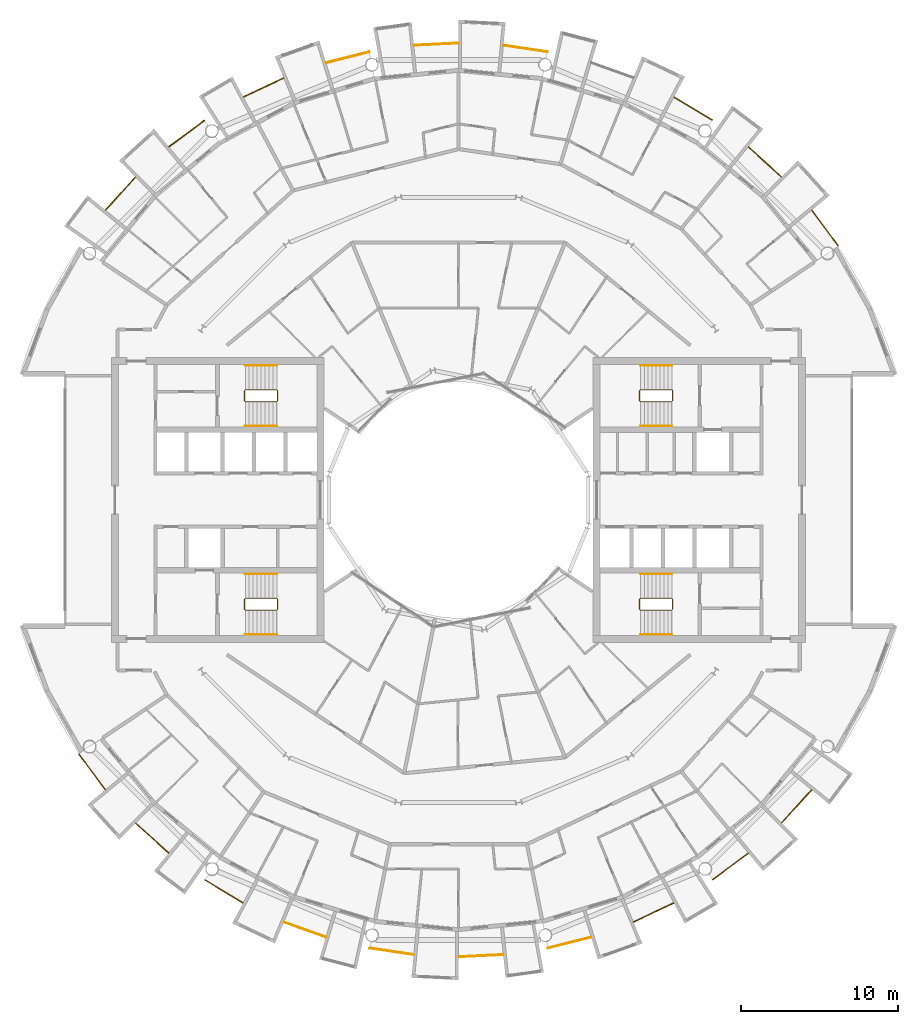
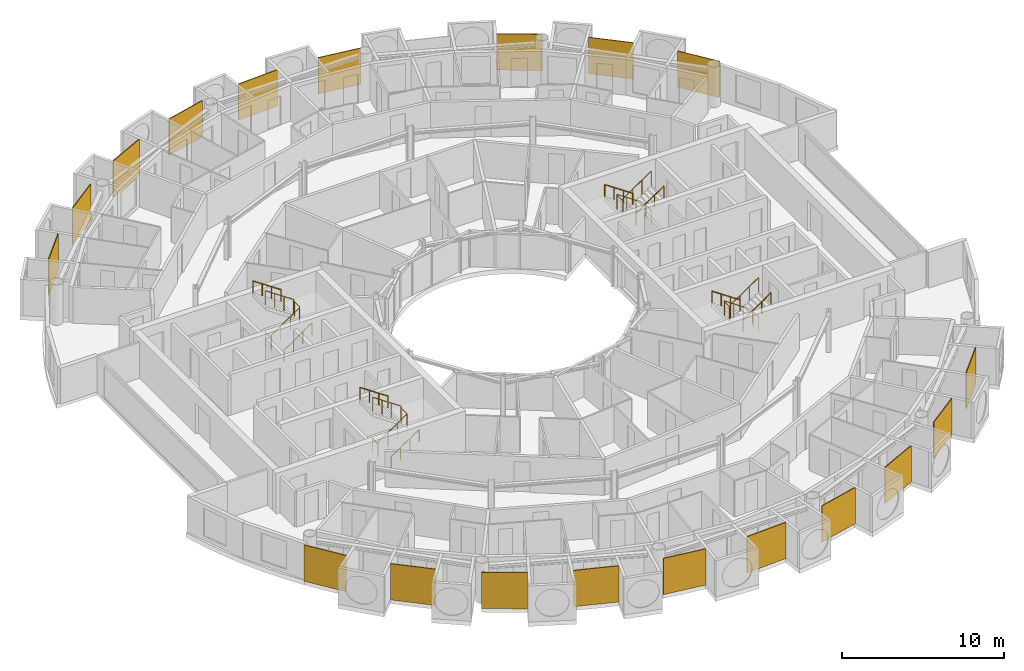
# One storey, part 28 of 29: 31 railings.
"""IFC4 building model written with IfcOpenShell, lengths in metres."""

import ifcopenshell
import ifcopenshell.guid

model = None  # the IFC model being written
_history = None  # IfcOwnerHistory: only IFC2X3 demands one
_inside = {}  # id of a spatial element -> (the spatial element, [elements in it])
_under = {}  # id of a project, library or spatial element -> (it, [spatial elements below it])
_declared = {}  # id of a project -> (the project, [libraries it declares])
_typed = {}  # id of a type object -> (the type object, [elements of that type])
_made_of = {}  # id of a material, layer set ... -> (it, [elements and type objects made of it])


def new_model(schema):
    """Start an empty IFC model of exactly this schema.

    Asked for "IFC4X3", IfcOpenShell would pick the latest addendum, in which some entities
    have other attributes; the version numbers below select the first issue.
    IFC2X3 requires an IfcOwnerHistory on every rooted entity: one is made here for all.
    """
    global model, _history
    if schema == "IFC4X3":
        model = ifcopenshell.file(schema_version=(4, 3, 0, 0))
    else:
        model = ifcopenshell.file(schema=schema)
    _inside.clear()
    _under.clear()
    _declared.clear()
    _typed.clear()
    _made_of.clear()
    _history = None
    if model.schema == "IFC2X3":
        org = make("IfcOrganization", Name="unknown")
        user = make(
            "IfcPersonAndOrganization",
            ThePerson=make("IfcPerson", FamilyName="unknown"),
            TheOrganization=org,
        )
        app = make(
            "IfcApplication",
            ApplicationDeveloper=org,
            Version="unknown",
            ApplicationFullName="unknown",
            ApplicationIdentifier="unknown",
        )
        _history = make(
            "IfcOwnerHistory",
            OwningUser=user,
            OwningApplication=app,
            ChangeAction="ADDED",
            CreationDate=0,
        )
    return model


def make(cls, **values):
    """One entity of the class cls with the attributes given. An attribute that is None is left unset."""
    return model.create_entity(
        cls, **{name: value for name, value in values.items() if value is not None}
    )


def rooted(cls, **values):
    """An entity with a GlobalId (a new one), such as an element, a storey or a relation."""
    return make(cls, GlobalId=ifcopenshell.guid.new(), OwnerHistory=_history, **values)


def si_unit(unit_type, name, prefix=None):
    """IfcSIUnit, for example si_unit("LENGTHUNIT", "METRE", prefix="MILLI")."""
    return make("IfcSIUnit", UnitType=unit_type, Prefix=prefix, Name=name)


def assignment(units):
    """IfcUnitAssignment: the units of a project."""
    return None if units is None else make("IfcUnitAssignment", Units=units)


def point(xyz):
    """IfcCartesianPoint."""
    return None if xyz is None else make("IfcCartesianPoint", Coordinates=xyz)


def direction(xyz):
    """IfcDirection."""
    return None if xyz is None else make("IfcDirection", DirectionRatios=xyz)


def frame(location, z_axis=None, x_axis=None):
    """IfcAxis2Placement3D, a coordinate frame: its origin and axes. An axis left out is left unset."""
    return make(
        "IfcAxis2Placement3D",
        Location=point(location),
        Axis=direction(z_axis),
        RefDirection=direction(x_axis),
    )


def frame_2d(location, x_axis=None):
    """IfcAxis2Placement2D, a coordinate frame in the plane: its origin and x axis."""
    return make(
        "IfcAxis2Placement2D", Location=point(location), RefDirection=direction(x_axis)
    )


def origin():
    """The frame at (0, 0, 0) with its axes left unset."""
    return frame((0.0, 0.0, 0.0))


def origin_2d():
    """The frame at (0, 0) in the plane with its x axis left unset."""
    return frame_2d((0.0, 0.0))


def place(relative_to, where):
    """IfcLocalPlacement: puts the frame where relative to a parent placement (None: the world)."""
    return make(
        "IfcLocalPlacement", PlacementRelTo=relative_to, RelativePlacement=where
    )


def context(
    kind, dimensions, precision=None, world=None, true_north=None, identifier=None
):
    """IfcGeometricRepresentationContext, for example the 3D "Model" context."""
    return make(
        "IfcGeometricRepresentationContext",
        ContextIdentifier=identifier,
        ContextType=kind,
        CoordinateSpaceDimension=dimensions,
        Precision=precision,
        WorldCoordinateSystem=world,
        TrueNorth=true_north,
    )


def subcontext(parent, identifier, kind, view, scale=None):
    """IfcGeometricRepresentationSubContext, for example "Body" below "Model"."""
    return make(
        "IfcGeometricRepresentationSubContext",
        ContextIdentifier=identifier,
        ContextType=kind,
        ParentContext=parent,
        TargetScale=scale,
        TargetView=view,
    )


def project(units=None, contexts=None):
    """IfcProject with its units and contexts."""
    return rooted(
        "IfcProject",
        Name="project",
        RepresentationContexts=contexts,
        UnitsInContext=assignment(units),
    )


def spatial(cls, under=None, at=None, **own):
    """A site, building, storey or space (cls), placed at a placement, below another one or the project."""
    s = rooted(cls, ObjectPlacement=at, **own)
    if under is not None:
        _under.setdefault(under.id(), (under, []))[1].append(s)
    return s


def polyline(points):
    """IfcPolyline through the points."""
    return make("IfcPolyline", Points=[point(p) for p in points])


def profile(cls, at=None, kind="AREA", **sizes):
    """A parametric profile (cls). Its sizes go by their IFC names, for example OverallWidth=200.0."""
    return make(cls, ProfileType=kind, Position=at, **sizes)


def circle(**sizes):
    """IfcCircleProfileDef."""
    return profile("IfcCircleProfileDef", **sizes)


def outline(outer, holes=None, kind="AREA"):
    """IfcArbitraryClosedProfileDef: a profile drawn as a closed curve; with holes, ...WithVoids."""
    if holes is None:
        return make("IfcArbitraryClosedProfileDef", ProfileType=kind, OuterCurve=outer)
    return make(
        "IfcArbitraryProfileDefWithVoids",
        ProfileType=kind,
        OuterCurve=outer,
        InnerCurves=holes,
    )


def extrude(swept, where, along, depth):
    """IfcExtrudedAreaSolid: the profile swept, set in the frame where, extruded along a direction by depth."""
    return make(
        "IfcExtrudedAreaSolid",
        SweptArea=swept,
        Position=where,
        ExtrudedDirection=direction(along),
        Depth=depth,
    )


def shape(context_of_items, identifier, shape_type, items):
    """IfcShapeRepresentation: the items that make up one representation, for example the "Body"."""
    return make(
        "IfcShapeRepresentation",
        ContextOfItems=context_of_items,
        RepresentationIdentifier=identifier,
        RepresentationType=shape_type,
        Items=items,
    )


def material(Name=None, Category=None):
    """IfcMaterial."""
    return make("IfcMaterial", Name=Name, Category=Category)


def layer(
    of_material, thickness, ventilated=None, Name=None, Category=None, Priority=None
):
    """IfcMaterialLayer: one layer of a wall or slab, of a material (None: an air gap)."""
    return make(
        "IfcMaterialLayer",
        Material=of_material,
        LayerThickness=thickness,
        IsVentilated=ventilated,
        Name=Name,
        Category=Category,
        Priority=Priority,
    )


def layer_set(layers, Name=None):
    """IfcMaterialLayerSet."""
    return make("IfcMaterialLayerSet", MaterialLayers=layers, LayerSetName=Name)


def made_of(thing, what):
    """Note that an element or type object is made of a material, layer set ...; save() writes the relation."""
    if what is not None:
        _made_of.setdefault(what.id(), (what, []))[1].append(thing)
    return thing


def type_object(cls, material=None, **own):
    """A type object (cls), such as IfcWallType, which elements share."""
    return made_of(rooted(cls, **own), material)


def element(
    cls,
    number,
    at=None,
    inside=None,
    cuts=None,
    type_object=None,
    material=None,
    context=None,
    identifier="Body",
    shape_type=None,
    held_by="IfcProductDefinitionShape",
    body=None,
    shapes=None,
    **own,
):
    """One element of the class cls, such as IfcWall. Its Tag is "e" and its number.

    at: its placement. inside: the storey or other place that contains it. cuts: it is an
    opening in that element (IfcRelVoidsElement). A single representation is given by context,
    identifier, shape_type and body (its items); several are given by shapes. held_by: the class
    of the entity that holds the representations. save() writes the other relations.
    """
    e = rooted(cls, Tag="e%d" % number, ObjectPlacement=at, **own)
    if body is not None:
        shapes = [shape(context, identifier, shape_type, body)]
    if shapes is not None:
        e.Representation = make(held_by, Representations=shapes)
    if inside is not None:
        _inside.setdefault(inside.id(), (inside, []))[1].append(e)
    if cuts is not None:
        rooted(
            "IfcRelVoidsElement", RelatingBuildingElement=cuts, RelatedOpeningElement=e
        )
    if type_object is not None:
        _typed.setdefault(type_object.id(), (type_object, []))[1].append(e)
    return made_of(e, material)


def aggregate(whole, parts):
    """IfcRelAggregates: a whole, such as a stair, and the parts it consists of."""
    return rooted("IfcRelAggregates", RelatingObject=whole, RelatedObjects=parts)


def save(model, path):
    """Write the relations noted so far, then the file.

    IfcRelAggregates (storeys below a building ...), IfcRelContainedInSpatialStructure (elements
    in a storey), IfcRelDefinesByType, IfcRelAssociatesMaterial and IfcRelDeclares: one each for
    every whole, place, type object, material and project.
    """
    for whole, parts in _under.values():
        aggregate(whole, parts)
    for where, things in _inside.values():
        rooted(
            "IfcRelContainedInSpatialStructure",
            RelatedElements=things,
            RelatingStructure=where,
        )
    for kind, things in _typed.values():
        rooted("IfcRelDefinesByType", RelatedObjects=things, RelatingType=kind)
    for what, things in _made_of.values():
        rooted("IfcRelAssociatesMaterial", RelatedObjects=things, RelatingMaterial=what)
    for by, libraries in _declared.values():
        rooted("IfcRelDeclares", RelatingContext=by, RelatedDefinitions=libraries)
    model.write(path)


model = new_model("IFC4")

# Units and contexts
model_context = context("Model", 3, precision=1e-05, world=origin(), true_north=direction((0.0, 1.0)))
body_context = subcontext(model_context, "Body", "Model", "MODEL_VIEW")
ifc_project = project(units=[si_unit("LENGTHUNIT", "METRE"), si_unit("AREAUNIT", "SQUARE_METRE"), si_unit("VOLUMEUNIT", "CUBIC_METRE"), si_unit("PLANEANGLEUNIT", "RADIAN"), si_unit("MASSUNIT", "GRAM", prefix="KILO")], contexts=[model_context])

# Site, building, storey
site_placement = place(None, origin())
site = spatial("IfcSite", under=ifc_project, at=site_placement, CompositionType="ELEMENT")
building_placement = place(site_placement, origin())
building = spatial("IfcBuilding", under=site, at=building_placement, Name="Maasbend Ring Residences", CompositionType="ELEMENT")
storey_placement = place(building_placement, frame((0.0, 0.0, 212.699951171875)))
storey = spatial("IfcBuildingStorey", under=building, at=storey_placement, Name="L61", CompositionType="ELEMENT", Elevation=212.699951171875)

# Railings
ifc_material_1 = material(Name="Pale anodised perforated aluminium", Category="aluminium")
ifc_layer = layer(ifc_material_1, 0.06005859375)
ifc_layer_set = layer_set([ifc_layer], Name="SCREEN-P")
railing_type_1 = type_object("IfcRailingType", Name="SCREEN-P", PredefinedType="GUARDRAIL", material=ifc_layer_set)
railing_1_placement = place(storey_placement, frame((0.0, 0.0, -0.030029296875)))
element("IfcRailing", 1, at=railing_1_placement, inside=storey, type_object=railing_type_1, Name="Perforated screen guard 1", PredefinedType="GUARDRAIL", context=body_context, shape_type="SweptSolid", body=[
    extrude(outline(polyline([(24.113037109375, 16.112060546875), (22.4169921875, 18.39697265625), (22.465087890625, 18.43310546875), (24.160888671875, 16.14697265625), (24.113037109375, 16.112060546875)])), origin(), (0.0, 0.0, 1.0), 2.72998046875),
])
railing_2_placement = place(storey_placement, frame((0.0, 0.0, -0.030029296875)))
element("IfcRailing", 2, at=railing_2_placement, inside=storey, type_object=railing_type_1, Name="Perforated screen guard 2", PredefinedType="GUARDRAIL", context=body_context, shape_type="SweptSolid", body=[
    extrude(outline(polyline([(20.506103515625, 20.506103515625), (18.39697265625, 22.4169921875), (18.43798828125, 22.4619140625), (20.5458984375, 20.551025390625), (20.506103515625, 20.506103515625)])), origin(), (0.0, 0.0, 1.0), 2.72998046875),
])
railing_3_placement = place(storey_placement, frame((0.0, 0.0, -0.030029296875)))
element("IfcRailing", 3, at=railing_3_placement, inside=storey, type_object=railing_type_1, Name="Perforated screen guard 3", PredefinedType="GUARDRAIL", context=body_context, shape_type="SweptSolid", body=[
    extrude(outline(polyline([(16.112060546875, 24.113037109375), (13.6708984375, 25.575927734375), (13.700927734375, 25.626953125), (16.14208984375, 24.1640625), (16.112060546875, 24.113037109375)])), origin(), (0.0, 0.0, 1.0), 2.72998046875),
])
railing_4_placement = place(storey_placement, frame((0.0, 0.0, -0.030029296875)))
element("IfcRailing", 4, at=railing_4_placement, inside=storey, type_object=railing_type_1, Name="Perforated screen guard 5", PredefinedType="GUARDRAIL", context=body_context, shape_type="SweptSolid", body=[
    extrude(outline(polyline([(5.657958984375, 28.443115234375), (2.842041015625, 28.860107421875), (2.85107421875, 28.919921875), (5.666015625, 28.501953125), (5.657958984375, 28.443115234375)])), origin(), (0.0, 0.0, 1.0), 2.72998046875),
])
railing_5_placement = place(storey_placement, frame((0.0, 0.0, -0.030029296875)))
element("IfcRailing", 5, at=railing_5_placement, inside=storey, type_object=railing_type_1, Name="Perforated screen guard 6", PredefinedType="GUARDRAIL", context=body_context, shape_type="SweptSolid", body=[
    extrude(outline(polyline([(0.0, 29.0), (-2.842041015625, 28.860107421875), (-2.844970703125, 28.919921875), (-0.0029296875, 29.06005859375), (0.0, 29.0)])), origin(), (0.0, 0.0, 1.0), 2.72998046875),
])
railing_6_placement = place(storey_placement, frame((0.0, 0.0, -0.030029296875)))
element("IfcRailing", 6, at=railing_6_placement, inside=storey, type_object=railing_type_1, Name="Perforated screen guard 7", PredefinedType="GUARDRAIL", context=body_context, shape_type="SweptSolid", body=[
    extrude(outline(polyline([(-5.657958984375, 28.443115234375), (-8.41796875, 27.7509765625), (-8.43310546875, 27.80908203125), (-5.672119140625, 28.5009765625), (-5.657958984375, 28.443115234375)])), origin(), (0.0, 0.0, 1.0), 2.72998046875),
])
railing_7_placement = place(storey_placement, frame((0.0, 0.0, -0.030029296875)))
element("IfcRailing", 7, at=railing_7_placement, inside=storey, type_object=railing_type_1, Name="Perforated screen guard 8", PredefinedType="GUARDRAIL", context=body_context, shape_type="SweptSolid", body=[
    extrude(outline(polyline([(-11.097900390625, 26.79296875), (-13.6708984375, 25.575927734375), (-13.696044921875, 25.6298828125), (-11.123046875, 26.846923828125), (-11.097900390625, 26.79296875)])), origin(), (0.0, 0.0, 1.0), 2.72998046875),
])
railing_8_placement = place(storey_placement, frame((0.0, 0.0, -0.030029296875)))
element("IfcRailing", 8, at=railing_8_placement, inside=storey, type_object=railing_type_1, Name="Perforated screen guard 9", PredefinedType="GUARDRAIL", context=body_context, shape_type="SweptSolid", body=[
    extrude(outline(polyline([(-16.112060546875, 24.113037109375), (-18.39697265625, 22.4169921875), (-18.43310546875, 22.465087890625), (-16.14697265625, 24.160888671875), (-16.112060546875, 24.113037109375)])), origin(), (0.0, 0.0, 1.0), 2.72998046875),
])
railing_9_placement = place(storey_placement, frame((0.0, 0.0, -0.030029296875)))
element("IfcRailing", 9, at=railing_9_placement, inside=storey, type_object=railing_type_1, Name="Perforated screen guard 10", PredefinedType="GUARDRAIL", context=body_context, shape_type="SweptSolid", body=[
    extrude(outline(polyline([(-20.506103515625, 20.506103515625), (-22.4169921875, 18.39697265625), (-22.4619140625, 18.43798828125), (-20.551025390625, 20.5458984375), (-20.506103515625, 20.506103515625)])), origin(), (0.0, 0.0, 1.0), 2.72998046875),
])
railing_10_placement = place(storey_placement, frame((0.0, 0.0, -0.030029296875)))
element("IfcRailing", 10, at=railing_10_placement, inside=storey, type_object=railing_type_1, Name="Perforated screen guard 1", PredefinedType="GUARDRAIL", context=body_context, shape_type="SweptSolid", body=[
    extrude(outline(polyline([(-24.113037109375, -16.112060546875), (-22.4169921875, -18.39697265625), (-22.465087890625, -18.43310546875), (-24.160888671875, -16.14697265625), (-24.113037109375, -16.112060546875)])), origin(), (0.0, 0.0, 1.0), 2.72998046875),
])
railing_11_placement = place(storey_placement, frame((0.0, 0.0, -0.030029296875)))
element("IfcRailing", 11, at=railing_11_placement, inside=storey, type_object=railing_type_1, Name="Perforated screen guard 2", PredefinedType="GUARDRAIL", context=body_context, shape_type="SweptSolid", body=[
    extrude(outline(polyline([(-20.506103515625, -20.506103515625), (-18.39697265625, -22.4169921875), (-18.43798828125, -22.4619140625), (-20.5458984375, -20.551025390625), (-20.506103515625, -20.506103515625)])), origin(), (0.0, 0.0, 1.0), 2.72998046875),
])
railing_12_placement = place(storey_placement, frame((0.0, 0.0, -0.030029296875)))
element("IfcRailing", 12, at=railing_12_placement, inside=storey, type_object=railing_type_1, Name="Perforated screen guard 3", PredefinedType="GUARDRAIL", context=body_context, shape_type="SweptSolid", body=[
    extrude(outline(polyline([(-16.112060546875, -24.113037109375), (-13.6708984375, -25.575927734375), (-13.700927734375, -25.626953125), (-16.14208984375, -24.1640625), (-16.112060546875, -24.113037109375)])), origin(), (0.0, 0.0, 1.0), 2.72998046875),
])
railing_13_placement = place(storey_placement, frame((0.0, 0.0, -0.030029296875)))
element("IfcRailing", 13, at=railing_13_placement, inside=storey, type_object=railing_type_1, Name="Perforated screen guard 4", PredefinedType="GUARDRAIL", context=body_context, shape_type="SweptSolid", body=[
    extrude(outline(polyline([(-11.097900390625, -26.79296875), (-8.41796875, -27.7509765625), (-8.43798828125, -27.80810546875), (-11.117919921875, -26.84912109375), (-11.097900390625, -26.79296875)])), origin(), (0.0, 0.0, 1.0), 2.72998046875),
])
railing_14_placement = place(storey_placement, frame((0.0, 0.0, -0.030029296875)))
element("IfcRailing", 14, at=railing_14_placement, inside=storey, type_object=railing_type_1, Name="Perforated screen guard 5", PredefinedType="GUARDRAIL", context=body_context, shape_type="SweptSolid", body=[
    extrude(outline(polyline([(-5.657958984375, -28.443115234375), (-2.842041015625, -28.860107421875), (-2.85107421875, -28.919921875), (-5.666015625, -28.501953125), (-5.657958984375, -28.443115234375)])), origin(), (0.0, 0.0, 1.0), 2.72998046875),
])
railing_15_placement = place(storey_placement, frame((0.0, 0.0, -0.030029296875)))
element("IfcRailing", 15, at=railing_15_placement, inside=storey, type_object=railing_type_1, Name="Perforated screen guard 6", PredefinedType="GUARDRAIL", context=body_context, shape_type="SweptSolid", body=[
    extrude(outline(polyline([(0.0, -29.0), (2.842041015625, -28.860107421875), (2.844970703125, -28.919921875), (0.0029296875, -29.06005859375), (0.0, -29.0)])), origin(), (0.0, 0.0, 1.0), 2.72998046875),
])
railing_16_placement = place(storey_placement, frame((0.0, 0.0, -0.030029296875)))
element("IfcRailing", 16, at=railing_16_placement, inside=storey, type_object=railing_type_1, Name="Perforated screen guard 7", PredefinedType="GUARDRAIL", context=body_context, shape_type="SweptSolid", body=[
    extrude(outline(polyline([(5.657958984375, -28.443115234375), (8.41796875, -27.7509765625), (8.43310546875, -27.80908203125), (5.672119140625, -28.5009765625), (5.657958984375, -28.443115234375)])), origin(), (0.0, 0.0, 1.0), 2.72998046875),
])
railing_17_placement = place(storey_placement, frame((0.0, 0.0, -0.030029296875)))
element("IfcRailing", 17, at=railing_17_placement, inside=storey, type_object=railing_type_1, Name="Perforated screen guard 8", PredefinedType="GUARDRAIL", context=body_context, shape_type="SweptSolid", body=[
    extrude(outline(polyline([(11.097900390625, -26.79296875), (13.6708984375, -25.575927734375), (13.696044921875, -25.6298828125), (11.123046875, -26.846923828125), (11.097900390625, -26.79296875)])), origin(), (0.0, 0.0, 1.0), 2.72998046875),
])
railing_18_placement = place(storey_placement, frame((0.0, 0.0, -0.030029296875)))
element("IfcRailing", 18, at=railing_18_placement, inside=storey, type_object=railing_type_1, Name="Perforated screen guard 9", PredefinedType="GUARDRAIL", context=body_context, shape_type="SweptSolid", body=[
    extrude(outline(polyline([(16.112060546875, -24.113037109375), (18.39697265625, -22.4169921875), (18.43310546875, -22.465087890625), (16.14697265625, -24.160888671875), (16.112060546875, -24.113037109375)])), origin(), (0.0, 0.0, 1.0), 2.72998046875),
])
railing_19_placement = place(storey_placement, frame((0.0, 0.0, -0.030029296875)))
element("IfcRailing", 19, at=railing_19_placement, inside=storey, type_object=railing_type_1, Name="Perforated screen guard 10", PredefinedType="GUARDRAIL", context=body_context, shape_type="SweptSolid", body=[
    extrude(outline(polyline([(20.506103515625, -20.506103515625), (22.4169921875, -18.39697265625), (22.4619140625, -18.43798828125), (20.551025390625, -20.5458984375), (20.506103515625, -20.506103515625)])), origin(), (0.0, 0.0, 1.0), 2.72998046875),
])
ifc_material_2 = material(Name="Stainless steel 316", Category="steel")
railing_type_2 = type_object("IfcRailingType", Name="STAIR GUARD 1100", PredefinedType="GUARDRAIL", material=ifc_material_2)
railing_20_placement = place(storey_placement, frame((13.60009765625, 6.300048828125, 0.0)))
element("IfcRailing", 20, at=railing_20_placement, inside=storey, type_object=railing_type_2, Name="L61 ST-E1 stair guard 1", PredefinedType="GUARDRAIL", context=body_context, shape_type="SweptSolid", body=[
    extrude(circle(Radius=0.02392578125, at=origin_2d()), frame((0.0, 0.0, 1.076171875), z_axis=(0.0, 1.0, 0.0), x_axis=(-1.0, 0.0, 0.0)), (0.0, 0.0, 1.0), 0.64990234375),
    extrude(circle(Radius=0.02392578125, at=origin_2d()), frame((0.0, 0.64990234375, 1.076171875), z_axis=(-0.272562526181, 0.272562526181, 0.92272386912), x_axis=(-0.707106781187, -0.707106781187, 0.0)), (0.0, 0.0, 1.0), 0.18359375),
    extrude(circle(Radius=0.02392578125, at=origin_2d()), frame((-0.050048828125, 0.699951171875, 1.24560546875), z_axis=(-0.827750655447, 0.0, 0.561096116906), x_axis=(0.0, -1.0, 0.0)), (0.0, 0.0, 1.0), 2.416259765625),
    extrude(circle(Radius=0.02392578125, at=origin_2d()), frame((-2.050048828125, 0.699951171875, 2.60107421875), z_axis=(-0.707106781187, -0.707106781187, 0.0), x_axis=(0.707106781187, -0.707106781187, 0.0)), (0.0, 0.0, 1.0), 0.07080078125),
    extrude(circle(Radius=0.02392578125, at=origin_2d()), frame((-2.10009765625, 0.64990234375, 2.60107421875), z_axis=(0.0, -1.0, 0.0), x_axis=(1.0, 0.0, 0.0)), (0.0, 0.0, 1.0), 0.64990234375),
    extrude(circle(Radius=0.02392578125, at=origin_2d()), frame((-2.10009765625, 0.0, 2.60107421875), z_axis=(0.272562526181, -0.272562526181, 0.92272386912), x_axis=(0.707106781187, 0.707106781187, 0.0)), (0.0, 0.0, 1.0), 0.18359375),
    extrude(circle(Radius=0.02392578125, at=origin_2d()), frame((-2.050048828125, -0.050048828125, 2.7705078125), z_axis=(0.827797584762, 0.0, 0.561026878735), x_axis=(0.0, 1.0, 0.0)), (0.0, 0.0, 1.0), 2.416015625),
    extrude(circle(Radius=0.02099609375, at=origin_2d()), origin(), (0.0, 0.0, 1.0), 1.052001953125),
    extrude(circle(Radius=0.02099609375, at=origin_2d()), frame((0.0, 0.64990234375, 0.0)), (0.0, 0.0, 1.0), 1.052001953125),
    extrude(circle(Radius=0.02099609375, at=origin_2d()), frame((-0.050048828125, 0.699951171875, 0.16943359375)), (0.0, 0.0, 1.0), 1.052001953125),
    extrude(circle(Radius=0.02099609375, at=origin_2d()), frame((-0.716796875, 0.699951171875, 0.621337890625)), (0.0, 0.0, 1.0), 1.052001953125),
    extrude(circle(Radius=0.02099609375, at=origin_2d()), frame((-1.38330078125, 0.699951171875, 1.0732421875)), (0.0, 0.0, 1.0), 1.052001953125),
    extrude(circle(Radius=0.02099609375, at=origin_2d()), frame((-2.050048828125, 0.699951171875, 1.525146484375)), (0.0, 0.0, 1.0), 1.052001953125),
    extrude(circle(Radius=0.02099609375, at=origin_2d()), frame((-2.10009765625, 0.64990234375, 1.525146484375)), (0.0, 0.0, 1.0), 1.052001953125),
    extrude(circle(Radius=0.02099609375, at=origin_2d()), frame((-2.10009765625, 0.0, 1.525146484375)), (0.0, 0.0, 1.0), 1.052001953125),
    extrude(circle(Radius=0.02099609375, at=origin_2d()), frame((-2.050048828125, -0.050048828125, 1.694580078125)), (0.0, 0.0, 1.0), 1.052001953125),
    extrude(circle(Radius=0.02099609375, at=origin_2d()), frame((-1.38330078125, -0.050048828125, 2.146484375)), (0.0, 0.0, 1.0), 1.052001953125),
    extrude(circle(Radius=0.02099609375, at=origin_2d()), frame((-0.716796875, -0.050048828125, 2.59814453125)), (0.0, 0.0, 1.0), 1.052001953125),
    extrude(circle(Radius=0.02099609375, at=origin_2d()), frame((-0.050048828125, -0.050048828125, 3.050048828125)), (0.0, 0.0, 1.0), 1.052001953125),
])
railing_21_placement = place(storey_placement, frame((13.60009765625, -6.949951171875, 0.0)))
element("IfcRailing", 21, at=railing_21_placement, inside=storey, type_object=railing_type_2, Name="L61 ST-E2 stair guard 1", PredefinedType="GUARDRAIL", context=body_context, shape_type="SweptSolid", body=[
    extrude(circle(Radius=0.02392578125, at=origin_2d()), frame((0.0, 0.0, 1.076171875), z_axis=(0.0, 1.0, 0.0), x_axis=(-1.0, 0.0, 0.0)), (0.0, 0.0, 1.0), 0.64990234375),
    extrude(circle(Radius=0.02392578125, at=origin_2d()), frame((0.0, 0.64990234375, 1.076171875), z_axis=(-0.272562526181, 0.272562526181, 0.92272386912), x_axis=(-0.707106781187, -0.707106781187, 0.0)), (0.0, 0.0, 1.0), 0.18359375),
    extrude(circle(Radius=0.02392578125, at=origin_2d()), frame((-0.050048828125, 0.699951171875, 1.24560546875), z_axis=(-0.827750655447, 0.0, 0.561096116906), x_axis=(0.0, -1.0, 0.0)), (0.0, 0.0, 1.0), 2.416259765625),
    extrude(circle(Radius=0.02392578125, at=origin_2d()), frame((-2.050048828125, 0.699951171875, 2.60107421875), z_axis=(-0.707106781187, -0.707106781187, 0.0), x_axis=(0.707106781187, -0.707106781187, 0.0)), (0.0, 0.0, 1.0), 0.07080078125),
    extrude(circle(Radius=0.02392578125, at=origin_2d()), frame((-2.10009765625, 0.64990234375, 2.60107421875), z_axis=(0.0, -1.0, 0.0), x_axis=(1.0, 0.0, 0.0)), (0.0, 0.0, 1.0), 0.64990234375),
    extrude(circle(Radius=0.02392578125, at=origin_2d()), frame((-2.10009765625, 0.0, 2.60107421875), z_axis=(0.272562526181, -0.272562526181, 0.92272386912), x_axis=(0.707106781187, 0.707106781187, 0.0)), (0.0, 0.0, 1.0), 0.18359375),
    extrude(circle(Radius=0.02392578125, at=origin_2d()), frame((-2.050048828125, -0.050048828125, 2.7705078125), z_axis=(0.827797584762, 0.0, 0.561026878735), x_axis=(0.0, 1.0, 0.0)), (0.0, 0.0, 1.0), 2.416015625),
    extrude(circle(Radius=0.02099609375, at=origin_2d()), origin(), (0.0, 0.0, 1.0), 1.052001953125),
    extrude(circle(Radius=0.02099609375, at=origin_2d()), frame((0.0, 0.64990234375, 0.0)), (0.0, 0.0, 1.0), 1.052001953125),
    extrude(circle(Radius=0.02099609375, at=origin_2d()), frame((-0.050048828125, 0.699951171875, 0.16943359375)), (0.0, 0.0, 1.0), 1.052001953125),
    extrude(circle(Radius=0.02099609375, at=origin_2d()), frame((-0.716796875, 0.699951171875, 0.621337890625)), (0.0, 0.0, 1.0), 1.052001953125),
    extrude(circle(Radius=0.02099609375, at=origin_2d()), frame((-1.38330078125, 0.699951171875, 1.0732421875)), (0.0, 0.0, 1.0), 1.052001953125),
    extrude(circle(Radius=0.02099609375, at=origin_2d()), frame((-2.050048828125, 0.699951171875, 1.525146484375)), (0.0, 0.0, 1.0), 1.052001953125),
    extrude(circle(Radius=0.02099609375, at=origin_2d()), frame((-2.10009765625, 0.64990234375, 1.525146484375)), (0.0, 0.0, 1.0), 1.052001953125),
    extrude(circle(Radius=0.02099609375, at=origin_2d()), frame((-2.10009765625, 0.0, 1.525146484375)), (0.0, 0.0, 1.0), 1.052001953125),
    extrude(circle(Radius=0.02099609375, at=origin_2d()), frame((-2.050048828125, -0.050048828125, 1.694580078125)), (0.0, 0.0, 1.0), 1.052001953125),
    extrude(circle(Radius=0.02099609375, at=origin_2d()), frame((-1.38330078125, -0.050048828125, 2.146484375)), (0.0, 0.0, 1.0), 1.052001953125),
    extrude(circle(Radius=0.02099609375, at=origin_2d()), frame((-0.716796875, -0.050048828125, 2.59814453125)), (0.0, 0.0, 1.0), 1.052001953125),
    extrude(circle(Radius=0.02099609375, at=origin_2d()), frame((-0.050048828125, -0.050048828125, 3.050048828125)), (0.0, 0.0, 1.0), 1.052001953125),
])
railing_22_placement = place(storey_placement, frame((-13.60009765625, -6.300048828125, 0.0)))
element("IfcRailing", 22, at=railing_22_placement, inside=storey, type_object=railing_type_2, Name="L61 ST-W1 stair guard 1", PredefinedType="GUARDRAIL", context=body_context, shape_type="SweptSolid", body=[
    extrude(circle(Radius=0.02392578125, at=origin_2d()), frame((0.0, 0.0, 1.076171875), z_axis=(0.0, -1.0, 0.0), x_axis=(1.0, 0.0, 0.0)), (0.0, 0.0, 1.0), 0.64990234375),
    extrude(circle(Radius=0.02392578125, at=origin_2d()), frame((0.0, -0.64990234375, 1.076171875), z_axis=(0.272562526181, -0.272562526181, 0.92272386912), x_axis=(0.707106781187, 0.707106781187, 0.0)), (0.0, 0.0, 1.0), 0.18359375),
    extrude(circle(Radius=0.02392578125, at=origin_2d()), frame((0.050048828125, -0.699951171875, 1.24560546875), z_axis=(0.827750655447, 0.0, 0.561096116906), x_axis=(0.0, 1.0, 0.0)), (0.0, 0.0, 1.0), 2.416259765625),
    extrude(circle(Radius=0.02392578125, at=origin_2d()), frame((2.050048828125, -0.699951171875, 2.60107421875), z_axis=(0.707106781187, 0.707106781187, 0.0), x_axis=(-0.707106781187, 0.707106781187, 0.0)), (0.0, 0.0, 1.0), 0.07080078125),
    extrude(circle(Radius=0.02392578125, at=origin_2d()), frame((2.10009765625, -0.64990234375, 2.60107421875), z_axis=(0.0, 1.0, 0.0), x_axis=(-1.0, 0.0, 0.0)), (0.0, 0.0, 1.0), 0.64990234375),
    extrude(circle(Radius=0.02392578125, at=origin_2d()), frame((2.10009765625, 0.0, 2.60107421875), z_axis=(-0.272562526181, 0.272562526181, 0.92272386912), x_axis=(-0.707106781187, -0.707106781187, 0.0)), (0.0, 0.0, 1.0), 0.18359375),
    extrude(circle(Radius=0.02392578125, at=origin_2d()), frame((2.050048828125, 0.050048828125, 2.7705078125), z_axis=(-0.827797584762, 0.0, 0.561026878735), x_axis=(0.0, -1.0, 0.0)), (0.0, 0.0, 1.0), 2.416015625),
    extrude(circle(Radius=0.02099609375, at=origin_2d()), origin(), (0.0, 0.0, 1.0), 1.052001953125),
    extrude(circle(Radius=0.02099609375, at=origin_2d()), frame((0.0, -0.64990234375, 0.0)), (0.0, 0.0, 1.0), 1.052001953125),
    extrude(circle(Radius=0.02099609375, at=origin_2d()), frame((0.050048828125, -0.699951171875, 0.16943359375)), (0.0, 0.0, 1.0), 1.052001953125),
    extrude(circle(Radius=0.02099609375, at=origin_2d()), frame((0.716796875, -0.699951171875, 0.621337890625)), (0.0, 0.0, 1.0), 1.052001953125),
    extrude(circle(Radius=0.02099609375, at=origin_2d()), frame((1.38330078125, -0.699951171875, 1.0732421875)), (0.0, 0.0, 1.0), 1.052001953125),
    extrude(circle(Radius=0.02099609375, at=origin_2d()), frame((2.050048828125, -0.699951171875, 1.525146484375)), (0.0, 0.0, 1.0), 1.052001953125),
    extrude(circle(Radius=0.02099609375, at=origin_2d()), frame((2.10009765625, -0.64990234375, 1.525146484375)), (0.0, 0.0, 1.0), 1.052001953125),
    extrude(circle(Radius=0.02099609375, at=origin_2d()), frame((2.10009765625, 0.0, 1.525146484375)), (0.0, 0.0, 1.0), 1.052001953125),
    extrude(circle(Radius=0.02099609375, at=origin_2d()), frame((2.050048828125, 0.050048828125, 1.694580078125)), (0.0, 0.0, 1.0), 1.052001953125),
    extrude(circle(Radius=0.02099609375, at=origin_2d()), frame((1.38330078125, 0.050048828125, 2.146484375)), (0.0, 0.0, 1.0), 1.052001953125),
    extrude(circle(Radius=0.02099609375, at=origin_2d()), frame((0.716796875, 0.050048828125, 2.59814453125)), (0.0, 0.0, 1.0), 1.052001953125),
    extrude(circle(Radius=0.02099609375, at=origin_2d()), frame((0.050048828125, 0.050048828125, 3.050048828125)), (0.0, 0.0, 1.0), 1.052001953125),
])
railing_23_placement = place(storey_placement, frame((-13.60009765625, 6.949951171875, 0.0)))
element("IfcRailing", 23, at=railing_23_placement, inside=storey, type_object=railing_type_2, Name="L61 ST-W2 stair guard 1", PredefinedType="GUARDRAIL", context=body_context, shape_type="SweptSolid", body=[
    extrude(circle(Radius=0.02392578125, at=origin_2d()), frame((0.0, 0.0, 1.076171875), z_axis=(0.0, -1.0, 0.0), x_axis=(1.0, 0.0, 0.0)), (0.0, 0.0, 1.0), 0.64990234375),
    extrude(circle(Radius=0.02392578125, at=origin_2d()), frame((0.0, -0.64990234375, 1.076171875), z_axis=(0.272562526181, -0.272562526181, 0.92272386912), x_axis=(0.707106781187, 0.707106781187, 0.0)), (0.0, 0.0, 1.0), 0.18359375),
    extrude(circle(Radius=0.02392578125, at=origin_2d()), frame((0.050048828125, -0.699951171875, 1.24560546875), z_axis=(0.827750655447, 0.0, 0.561096116906), x_axis=(0.0, 1.0, 0.0)), (0.0, 0.0, 1.0), 2.416259765625),
    extrude(circle(Radius=0.02392578125, at=origin_2d()), frame((2.050048828125, -0.699951171875, 2.60107421875), z_axis=(0.707106781187, 0.707106781187, 0.0), x_axis=(-0.707106781187, 0.707106781187, 0.0)), (0.0, 0.0, 1.0), 0.07080078125),
    extrude(circle(Radius=0.02392578125, at=origin_2d()), frame((2.10009765625, -0.64990234375, 2.60107421875), z_axis=(0.0, 1.0, 0.0), x_axis=(-1.0, 0.0, 0.0)), (0.0, 0.0, 1.0), 0.64990234375),
    extrude(circle(Radius=0.02392578125, at=origin_2d()), frame((2.10009765625, 0.0, 2.60107421875), z_axis=(-0.272562526181, 0.272562526181, 0.92272386912), x_axis=(-0.707106781187, -0.707106781187, 0.0)), (0.0, 0.0, 1.0), 0.18359375),
    extrude(circle(Radius=0.02392578125, at=origin_2d()), frame((2.050048828125, 0.050048828125, 2.7705078125), z_axis=(-0.827797584762, 0.0, 0.561026878735), x_axis=(0.0, -1.0, 0.0)), (0.0, 0.0, 1.0), 2.416015625),
    extrude(circle(Radius=0.02099609375, at=origin_2d()), origin(), (0.0, 0.0, 1.0), 1.052001953125),
    extrude(circle(Radius=0.02099609375, at=origin_2d()), frame((0.0, -0.64990234375, 0.0)), (0.0, 0.0, 1.0), 1.052001953125),
    extrude(circle(Radius=0.02099609375, at=origin_2d()), frame((0.050048828125, -0.699951171875, 0.16943359375)), (0.0, 0.0, 1.0), 1.052001953125),
    extrude(circle(Radius=0.02099609375, at=origin_2d()), frame((0.716796875, -0.699951171875, 0.621337890625)), (0.0, 0.0, 1.0), 1.052001953125),
    extrude(circle(Radius=0.02099609375, at=origin_2d()), frame((1.38330078125, -0.699951171875, 1.0732421875)), (0.0, 0.0, 1.0), 1.052001953125),
    extrude(circle(Radius=0.02099609375, at=origin_2d()), frame((2.050048828125, -0.699951171875, 1.525146484375)), (0.0, 0.0, 1.0), 1.052001953125),
    extrude(circle(Radius=0.02099609375, at=origin_2d()), frame((2.10009765625, -0.64990234375, 1.525146484375)), (0.0, 0.0, 1.0), 1.052001953125),
    extrude(circle(Radius=0.02099609375, at=origin_2d()), frame((2.10009765625, 0.0, 1.525146484375)), (0.0, 0.0, 1.0), 1.052001953125),
    extrude(circle(Radius=0.02099609375, at=origin_2d()), frame((2.050048828125, 0.050048828125, 1.694580078125)), (0.0, 0.0, 1.0), 1.052001953125),
    extrude(circle(Radius=0.02099609375, at=origin_2d()), frame((1.38330078125, 0.050048828125, 2.146484375)), (0.0, 0.0, 1.0), 1.052001953125),
    extrude(circle(Radius=0.02099609375, at=origin_2d()), frame((0.716796875, 0.050048828125, 2.59814453125)), (0.0, 0.0, 1.0), 1.052001953125),
    extrude(circle(Radius=0.02099609375, at=origin_2d()), frame((0.050048828125, 0.050048828125, 3.050048828125)), (0.0, 0.0, 1.0), 1.052001953125),
])
ifc_material_3 = material(Name="Stainless steel 316", Category="steel")
railing_type_3 = type_object("IfcRailingType", Name="STAIR HANDRAIL 900", PredefinedType="HANDRAIL", material=ifc_material_3)
railing_24_placement = place(storey_placement, frame((13.550048828125, 8.550048828125, 0.16943359375)))
element("IfcRailing", 24, at=railing_24_placement, inside=storey, type_object=railing_type_3, Name="L61 ST-E1 stair handrail 1", PredefinedType="HANDRAIL", context=body_context, shape_type="SweptSolid", body=[
    extrude(circle(Radius=0.02392578125, at=origin_2d()), frame((0.0, 0.0, 0.8759765625), z_axis=(-0.827750655447, 0.0, 0.561096116906), x_axis=(0.0, -1.0, 0.0)), (0.0, 0.0, 1.0), 2.416259765625),
    extrude(circle(Radius=0.02099609375, at=origin_2d()), origin(), (0.0, 0.0, 1.0), 0.851806640625),
    extrude(circle(Radius=0.02099609375, at=origin_2d()), frame((-0.666748046875, 0.0, 0.451904296875)), (0.0, 0.0, 1.0), 0.851806640625),
    extrude(circle(Radius=0.02099609375, at=origin_2d()), frame((-1.333251953125, 0.0, 0.90380859375)), (0.0, 0.0, 1.0), 0.851806640625),
    extrude(circle(Radius=0.02099609375, at=origin_2d()), frame((-2.0, 0.0, 1.355712890625)), (0.0, 0.0, 1.0), 0.851806640625),
])
railing_25_placement = place(storey_placement, frame((11.550048828125, 4.699951171875, 1.694580078125)))
element("IfcRailing", 25, at=railing_25_placement, inside=storey, type_object=railing_type_3, Name="L61 ST-E1 stair handrail 2", PredefinedType="HANDRAIL", context=body_context, shape_type="SweptSolid", body=[
    extrude(circle(Radius=0.02392578125, at=origin_2d()), frame((0.0, 0.0, 0.8759765625), z_axis=(0.827797584762, 0.0, 0.561026878735), x_axis=(0.0, 1.0, 0.0)), (0.0, 0.0, 1.0), 2.416015625),
    extrude(circle(Radius=0.02099609375, at=origin_2d()), origin(), (0.0, 0.0, 1.0), 0.851806640625),
    extrude(circle(Radius=0.02099609375, at=origin_2d()), frame((0.666748046875, 0.0, 0.451904296875)), (0.0, 0.0, 1.0), 0.851806640625),
    extrude(circle(Radius=0.02099609375, at=origin_2d()), frame((1.333251953125, 0.0, 0.903564453125)), (0.0, 0.0, 1.0), 0.851806640625),
    extrude(circle(Radius=0.02099609375, at=origin_2d()), frame((2.0, 0.0, 1.35546875)), (0.0, 0.0, 1.0), 0.851806640625),
])
railing_26_placement = place(storey_placement, frame((13.550048828125, -4.699951171875, 0.16943359375)))
element("IfcRailing", 26, at=railing_26_placement, inside=storey, type_object=railing_type_3, Name="L61 ST-E2 stair handrail 1", PredefinedType="HANDRAIL", context=body_context, shape_type="SweptSolid", body=[
    extrude(circle(Radius=0.02392578125, at=origin_2d()), frame((0.0, 0.0, 0.8759765625), z_axis=(-0.827750655447, 0.0, 0.561096116906), x_axis=(0.0, -1.0, 0.0)), (0.0, 0.0, 1.0), 2.416259765625),
    extrude(circle(Radius=0.02099609375, at=origin_2d()), origin(), (0.0, 0.0, 1.0), 0.851806640625),
    extrude(circle(Radius=0.02099609375, at=origin_2d()), frame((-0.666748046875, 0.0, 0.451904296875)), (0.0, 0.0, 1.0), 0.851806640625),
    extrude(circle(Radius=0.02099609375, at=origin_2d()), frame((-1.333251953125, 0.0, 0.90380859375)), (0.0, 0.0, 1.0), 0.851806640625),
    extrude(circle(Radius=0.02099609375, at=origin_2d()), frame((-2.0, 0.0, 1.355712890625)), (0.0, 0.0, 1.0), 0.851806640625),
])
railing_27_placement = place(storey_placement, frame((11.550048828125, -8.550048828125, 1.694580078125)))
element("IfcRailing", 27, at=railing_27_placement, inside=storey, type_object=railing_type_3, Name="L61 ST-E2 stair handrail 2", PredefinedType="HANDRAIL", context=body_context, shape_type="SweptSolid", body=[
    extrude(circle(Radius=0.02392578125, at=origin_2d()), frame((0.0, 0.0, 0.8759765625), z_axis=(0.827797584762, 0.0, 0.561026878735), x_axis=(0.0, 1.0, 0.0)), (0.0, 0.0, 1.0), 2.416015625),
    extrude(circle(Radius=0.02099609375, at=origin_2d()), origin(), (0.0, 0.0, 1.0), 0.851806640625),
    extrude(circle(Radius=0.02099609375, at=origin_2d()), frame((0.666748046875, 0.0, 0.451904296875)), (0.0, 0.0, 1.0), 0.851806640625),
    extrude(circle(Radius=0.02099609375, at=origin_2d()), frame((1.333251953125, 0.0, 0.903564453125)), (0.0, 0.0, 1.0), 0.851806640625),
    extrude(circle(Radius=0.02099609375, at=origin_2d()), frame((2.0, 0.0, 1.35546875)), (0.0, 0.0, 1.0), 0.851806640625),
])
railing_28_placement = place(storey_placement, frame((-13.550048828125, -8.550048828125, 0.16943359375)))
element("IfcRailing", 28, at=railing_28_placement, inside=storey, type_object=railing_type_3, Name="L61 ST-W1 stair handrail 1", PredefinedType="HANDRAIL", context=body_context, shape_type="SweptSolid", body=[
    extrude(circle(Radius=0.02392578125, at=origin_2d()), frame((0.0, 0.0, 0.8759765625), z_axis=(0.827750655447, 0.0, 0.561096116906), x_axis=(0.0, 1.0, 0.0)), (0.0, 0.0, 1.0), 2.416259765625),
    extrude(circle(Radius=0.02099609375, at=origin_2d()), origin(), (0.0, 0.0, 1.0), 0.851806640625),
    extrude(circle(Radius=0.02099609375, at=origin_2d()), frame((0.666748046875, 0.0, 0.451904296875)), (0.0, 0.0, 1.0), 0.851806640625),
    extrude(circle(Radius=0.02099609375, at=origin_2d()), frame((1.333251953125, 0.0, 0.90380859375)), (0.0, 0.0, 1.0), 0.851806640625),
    extrude(circle(Radius=0.02099609375, at=origin_2d()), frame((2.0, 0.0, 1.355712890625)), (0.0, 0.0, 1.0), 0.851806640625),
])
railing_29_placement = place(storey_placement, frame((-11.550048828125, -4.699951171875, 1.694580078125)))
element("IfcRailing", 29, at=railing_29_placement, inside=storey, type_object=railing_type_3, Name="L61 ST-W1 stair handrail 2", PredefinedType="HANDRAIL", context=body_context, shape_type="SweptSolid", body=[
    extrude(circle(Radius=0.02392578125, at=origin_2d()), frame((0.0, 0.0, 0.8759765625), z_axis=(-0.827797584762, 0.0, 0.561026878735), x_axis=(0.0, -1.0, 0.0)), (0.0, 0.0, 1.0), 2.416015625),
    extrude(circle(Radius=0.02099609375, at=origin_2d()), origin(), (0.0, 0.0, 1.0), 0.851806640625),
    extrude(circle(Radius=0.02099609375, at=origin_2d()), frame((-0.666748046875, 0.0, 0.451904296875)), (0.0, 0.0, 1.0), 0.851806640625),
    extrude(circle(Radius=0.02099609375, at=origin_2d()), frame((-1.333251953125, 0.0, 0.903564453125)), (0.0, 0.0, 1.0), 0.851806640625),
    extrude(circle(Radius=0.02099609375, at=origin_2d()), frame((-2.0, 0.0, 1.35546875)), (0.0, 0.0, 1.0), 0.851806640625),
])
railing_30_placement = place(storey_placement, frame((-13.550048828125, 4.699951171875, 0.16943359375)))
element("IfcRailing", 30, at=railing_30_placement, inside=storey, type_object=railing_type_3, Name="L61 ST-W2 stair handrail 1", PredefinedType="HANDRAIL", context=body_context, shape_type="SweptSolid", body=[
    extrude(circle(Radius=0.02392578125, at=origin_2d()), frame((0.0, 0.0, 0.8759765625), z_axis=(0.827750655447, 0.0, 0.561096116906), x_axis=(0.0, 1.0, 0.0)), (0.0, 0.0, 1.0), 2.416259765625),
    extrude(circle(Radius=0.02099609375, at=origin_2d()), origin(), (0.0, 0.0, 1.0), 0.851806640625),
    extrude(circle(Radius=0.02099609375, at=origin_2d()), frame((0.666748046875, 0.0, 0.451904296875)), (0.0, 0.0, 1.0), 0.851806640625),
    extrude(circle(Radius=0.02099609375, at=origin_2d()), frame((1.333251953125, 0.0, 0.90380859375)), (0.0, 0.0, 1.0), 0.851806640625),
    extrude(circle(Radius=0.02099609375, at=origin_2d()), frame((2.0, 0.0, 1.355712890625)), (0.0, 0.0, 1.0), 0.851806640625),
])
railing_31_placement = place(storey_placement, frame((-11.550048828125, 8.550048828125, 1.694580078125)))
element("IfcRailing", 31, at=railing_31_placement, inside=storey, type_object=railing_type_3, Name="L61 ST-W2 stair handrail 2", PredefinedType="HANDRAIL", context=body_context, shape_type="SweptSolid", body=[
    extrude(circle(Radius=0.02392578125, at=origin_2d()), frame((0.0, 0.0, 0.8759765625), z_axis=(-0.827797584762, 0.0, 0.561026878735), x_axis=(0.0, -1.0, 0.0)), (0.0, 0.0, 1.0), 2.416015625),
    extrude(circle(Radius=0.02099609375, at=origin_2d()), origin(), (0.0, 0.0, 1.0), 0.851806640625),
    extrude(circle(Radius=0.02099609375, at=origin_2d()), frame((-0.666748046875, 0.0, 0.451904296875)), (0.0, 0.0, 1.0), 0.851806640625),
    extrude(circle(Radius=0.02099609375, at=origin_2d()), frame((-1.333251953125, 0.0, 0.903564453125)), (0.0, 0.0, 1.0), 0.851806640625),
    extrude(circle(Radius=0.02099609375, at=origin_2d()), frame((-2.0, 0.0, 1.35546875)), (0.0, 0.0, 1.0), 0.851806640625),
])

save(model, "model.ifc")
